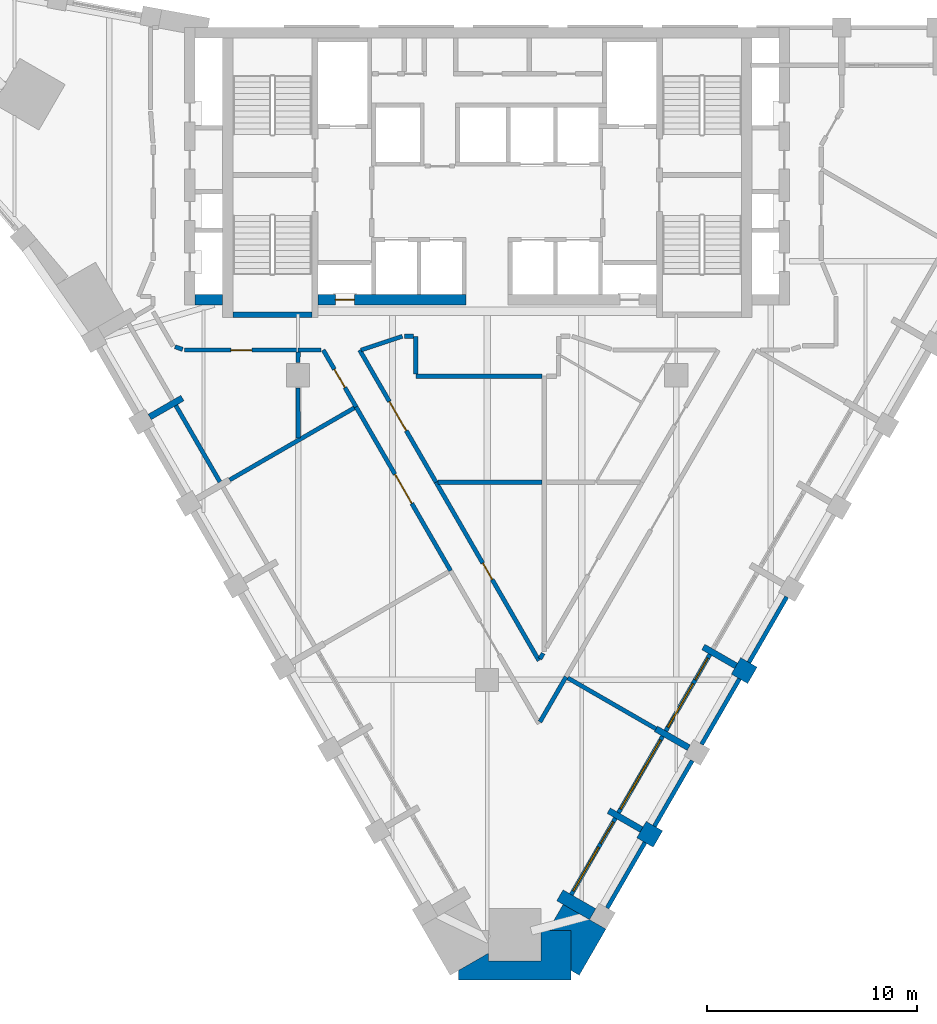
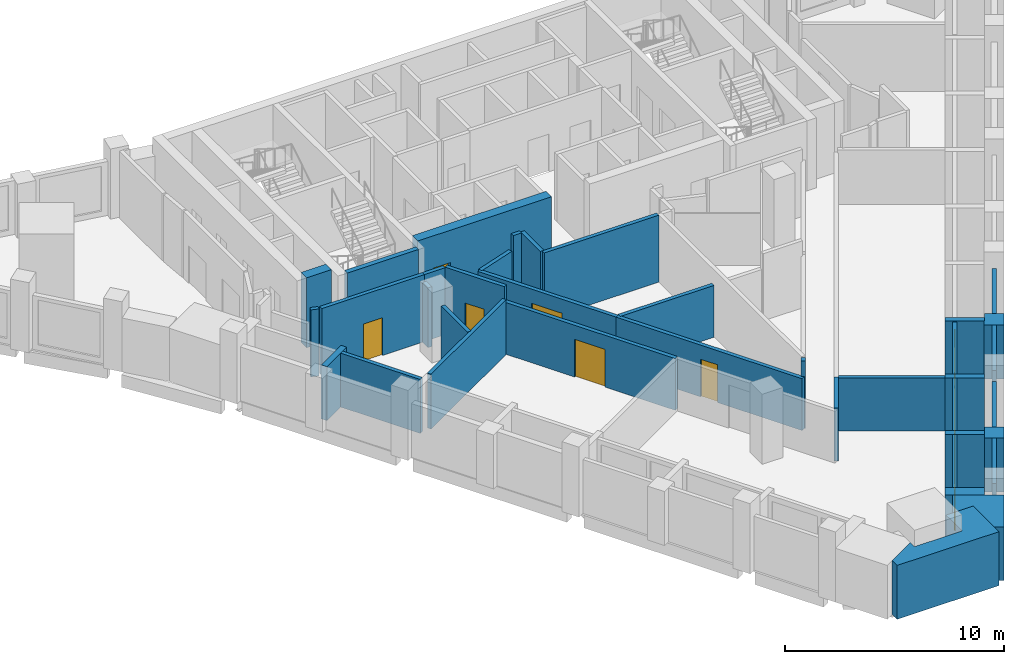
# One storey, part 3 of 9: 38 walls, 8 doors, 3 windows, 11 openings.
"""IFC4 building model written with IfcOpenShell, lengths in metres."""

import ifcopenshell
import ifcopenshell.guid

model = None  # the IFC model being written
_history = None  # IfcOwnerHistory: only IFC2X3 demands one
_inside = {}  # id of a spatial element -> (the spatial element, [elements in it])
_under = {}  # id of a project, library or spatial element -> (it, [spatial elements below it])
_declared = {}  # id of a project -> (the project, [libraries it declares])
_typed = {}  # id of a type object -> (the type object, [elements of that type])
_made_of = {}  # id of a material, layer set ... -> (it, [elements and type objects made of it])


def new_model(schema):
    """Start an empty IFC model of exactly this schema.

    Asked for "IFC4X3", IfcOpenShell would pick the latest addendum, in which some entities
    have other attributes; the version numbers below select the first issue.
    IFC2X3 requires an IfcOwnerHistory on every rooted entity: one is made here for all.
    """
    global model, _history
    if schema == "IFC4X3":
        model = ifcopenshell.file(schema_version=(4, 3, 0, 0))
    else:
        model = ifcopenshell.file(schema=schema)
    _inside.clear()
    _under.clear()
    _declared.clear()
    _typed.clear()
    _made_of.clear()
    _history = None
    if model.schema == "IFC2X3":
        org = make("IfcOrganization", Name="unknown")
        user = make(
            "IfcPersonAndOrganization",
            ThePerson=make("IfcPerson", FamilyName="unknown"),
            TheOrganization=org,
        )
        app = make(
            "IfcApplication",
            ApplicationDeveloper=org,
            Version="unknown",
            ApplicationFullName="unknown",
            ApplicationIdentifier="unknown",
        )
        _history = make(
            "IfcOwnerHistory",
            OwningUser=user,
            OwningApplication=app,
            ChangeAction="ADDED",
            CreationDate=0,
        )
    return model


def make(cls, **values):
    """One entity of the class cls with the attributes given. An attribute that is None is left unset."""
    return model.create_entity(
        cls, **{name: value for name, value in values.items() if value is not None}
    )


def rooted(cls, **values):
    """An entity with a GlobalId (a new one), such as an element, a storey or a relation."""
    return make(cls, GlobalId=ifcopenshell.guid.new(), OwnerHistory=_history, **values)


def si_unit(unit_type, name, prefix=None):
    """IfcSIUnit, for example si_unit("LENGTHUNIT", "METRE", prefix="MILLI")."""
    return make("IfcSIUnit", UnitType=unit_type, Prefix=prefix, Name=name)


def assignment(units):
    """IfcUnitAssignment: the units of a project."""
    return None if units is None else make("IfcUnitAssignment", Units=units)


def point(xyz):
    """IfcCartesianPoint."""
    return None if xyz is None else make("IfcCartesianPoint", Coordinates=xyz)


def direction(xyz):
    """IfcDirection."""
    return None if xyz is None else make("IfcDirection", DirectionRatios=xyz)


def frame(location, z_axis=None, x_axis=None):
    """IfcAxis2Placement3D, a coordinate frame: its origin and axes. An axis left out is left unset."""
    return make(
        "IfcAxis2Placement3D",
        Location=point(location),
        Axis=direction(z_axis),
        RefDirection=direction(x_axis),
    )


def frame_2d(location, x_axis=None):
    """IfcAxis2Placement2D, a coordinate frame in the plane: its origin and x axis."""
    return make(
        "IfcAxis2Placement2D", Location=point(location), RefDirection=direction(x_axis)
    )


def origin():
    """The frame at (0, 0, 0) with its axes left unset."""
    return frame((0.0, 0.0, 0.0))


def place(relative_to, where):
    """IfcLocalPlacement: puts the frame where relative to a parent placement (None: the world)."""
    return make(
        "IfcLocalPlacement", PlacementRelTo=relative_to, RelativePlacement=where
    )


def context(
    kind, dimensions, precision=None, world=None, true_north=None, identifier=None
):
    """IfcGeometricRepresentationContext, for example the 3D "Model" context."""
    return make(
        "IfcGeometricRepresentationContext",
        ContextIdentifier=identifier,
        ContextType=kind,
        CoordinateSpaceDimension=dimensions,
        Precision=precision,
        WorldCoordinateSystem=world,
        TrueNorth=true_north,
    )


def subcontext(parent, identifier, kind, view, scale=None):
    """IfcGeometricRepresentationSubContext, for example "Body" below "Model"."""
    return make(
        "IfcGeometricRepresentationSubContext",
        ContextIdentifier=identifier,
        ContextType=kind,
        ParentContext=parent,
        TargetScale=scale,
        TargetView=view,
    )


def project(units=None, contexts=None):
    """IfcProject with its units and contexts."""
    return rooted(
        "IfcProject",
        Name="project",
        RepresentationContexts=contexts,
        UnitsInContext=assignment(units),
    )


def spatial(cls, under=None, at=None, **own):
    """A site, building, storey or space (cls), placed at a placement, below another one or the project."""
    s = rooted(cls, ObjectPlacement=at, **own)
    if under is not None:
        _under.setdefault(under.id(), (under, []))[1].append(s)
    return s


def polyline(points):
    """IfcPolyline through the points."""
    return make("IfcPolyline", Points=[point(p) for p in points])


def profile(cls, at=None, kind="AREA", **sizes):
    """A parametric profile (cls). Its sizes go by their IFC names, for example OverallWidth=200.0."""
    return make(cls, ProfileType=kind, Position=at, **sizes)


def rectangle(**sizes):
    """IfcRectangleProfileDef."""
    return profile("IfcRectangleProfileDef", **sizes)


def outline(outer, holes=None, kind="AREA"):
    """IfcArbitraryClosedProfileDef: a profile drawn as a closed curve; with holes, ...WithVoids."""
    if holes is None:
        return make("IfcArbitraryClosedProfileDef", ProfileType=kind, OuterCurve=outer)
    return make(
        "IfcArbitraryProfileDefWithVoids",
        ProfileType=kind,
        OuterCurve=outer,
        InnerCurves=holes,
    )


def extrude(swept, where, along, depth):
    """IfcExtrudedAreaSolid: the profile swept, set in the frame where, extruded along a direction by depth."""
    return make(
        "IfcExtrudedAreaSolid",
        SweptArea=swept,
        Position=where,
        ExtrudedDirection=direction(along),
        Depth=depth,
    )


def shape(context_of_items, identifier, shape_type, items):
    """IfcShapeRepresentation: the items that make up one representation, for example the "Body"."""
    return make(
        "IfcShapeRepresentation",
        ContextOfItems=context_of_items,
        RepresentationIdentifier=identifier,
        RepresentationType=shape_type,
        Items=items,
    )


def material(Name=None, Category=None):
    """IfcMaterial."""
    return make("IfcMaterial", Name=Name, Category=Category)


def layer(
    of_material, thickness, ventilated=None, Name=None, Category=None, Priority=None
):
    """IfcMaterialLayer: one layer of a wall or slab, of a material (None: an air gap)."""
    return make(
        "IfcMaterialLayer",
        Material=of_material,
        LayerThickness=thickness,
        IsVentilated=ventilated,
        Name=Name,
        Category=Category,
        Priority=Priority,
    )


def layer_set(layers, Name=None):
    """IfcMaterialLayerSet."""
    return make("IfcMaterialLayerSet", MaterialLayers=layers, LayerSetName=Name)


def made_of(thing, what):
    """Note that an element or type object is made of a material, layer set ...; save() writes the relation."""
    if what is not None:
        _made_of.setdefault(what.id(), (what, []))[1].append(thing)
    return thing


def type_object(cls, material=None, **own):
    """A type object (cls), such as IfcWallType, which elements share."""
    return made_of(rooted(cls, **own), material)


def element(
    cls,
    number,
    at=None,
    inside=None,
    cuts=None,
    type_object=None,
    material=None,
    context=None,
    identifier="Body",
    shape_type=None,
    held_by="IfcProductDefinitionShape",
    body=None,
    shapes=None,
    **own,
):
    """One element of the class cls, such as IfcWall. Its Tag is "e" and its number.

    at: its placement. inside: the storey or other place that contains it. cuts: it is an
    opening in that element (IfcRelVoidsElement). A single representation is given by context,
    identifier, shape_type and body (its items); several are given by shapes. held_by: the class
    of the entity that holds the representations. save() writes the other relations.
    """
    e = rooted(cls, Tag="e%d" % number, ObjectPlacement=at, **own)
    if body is not None:
        shapes = [shape(context, identifier, shape_type, body)]
    if shapes is not None:
        e.Representation = make(held_by, Representations=shapes)
    if inside is not None:
        _inside.setdefault(inside.id(), (inside, []))[1].append(e)
    if cuts is not None:
        rooted(
            "IfcRelVoidsElement", RelatingBuildingElement=cuts, RelatedOpeningElement=e
        )
    if type_object is not None:
        _typed.setdefault(type_object.id(), (type_object, []))[1].append(e)
    return made_of(e, material)


def fill(opening, filler):
    """IfcRelFillsElement: the door or window that sits in an opening."""
    return rooted(
        "IfcRelFillsElement",
        RelatingOpeningElement=opening,
        RelatedBuildingElement=filler,
    )


def aggregate(whole, parts):
    """IfcRelAggregates: a whole, such as a stair, and the parts it consists of."""
    return rooted("IfcRelAggregates", RelatingObject=whole, RelatedObjects=parts)


def save(model, path):
    """Write the relations noted so far, then the file.

    IfcRelAggregates (storeys below a building ...), IfcRelContainedInSpatialStructure (elements
    in a storey), IfcRelDefinesByType, IfcRelAssociatesMaterial and IfcRelDeclares: one each for
    every whole, place, type object, material and project.
    """
    for whole, parts in _under.values():
        aggregate(whole, parts)
    for where, things in _inside.values():
        rooted(
            "IfcRelContainedInSpatialStructure",
            RelatedElements=things,
            RelatingStructure=where,
        )
    for kind, things in _typed.values():
        rooted("IfcRelDefinesByType", RelatedObjects=things, RelatingType=kind)
    for what, things in _made_of.values():
        rooted("IfcRelAssociatesMaterial", RelatedObjects=things, RelatingMaterial=what)
    for by, libraries in _declared.values():
        rooted("IfcRelDeclares", RelatingContext=by, RelatedDefinitions=libraries)
    model.write(path)


model = new_model("IFC4")

# Units and contexts
model_context = context("Model", 3, precision=1e-05, world=origin(), true_north=direction((0.0, 1.0)))
body_context = subcontext(model_context, "Body", "Model", "MODEL_VIEW")
ifc_project = project(units=[si_unit("LENGTHUNIT", "METRE"), si_unit("AREAUNIT", "SQUARE_METRE"), si_unit("VOLUMEUNIT", "CUBIC_METRE"), si_unit("PLANEANGLEUNIT", "RADIAN"), si_unit("MASSUNIT", "GRAM", prefix="KILO")], contexts=[model_context])

# Site, building, storey
site_placement = place(None, origin())
site = spatial("IfcSite", under=ifc_project, at=site_placement, CompositionType="ELEMENT")
building_placement = place(site_placement, origin())
building = spatial("IfcBuilding", under=site, at=building_placement, Name="Calabash Gate Tower", CompositionType="ELEMENT")
storey_placement = place(building_placement, frame((0.0, 0.0, 200.300048828125)))
storey = spatial("IfcBuildingStorey", under=building, at=storey_placement, Name="L47", CompositionType="ELEMENT", Elevation=200.300048828125)

# Walls
ifc_material_1 = material(Name="Terracotta brick masonry, exposed face", Category="masonry")
ifc_layer_1 = layer(ifc_material_1, 2.35009765625)
ifc_layer_set_1 = layer_set([ifc_layer_1], Name="Brick corner mass wall 2350")
wall_type_1 = type_object("IfcWallType", Name="Brick corner mass wall 2350", PredefinedType="SOLIDWALL", material=ifc_layer_set_1)
wall_1_placement = place(storey_placement, origin())
element("IfcWall", 1, at=wall_1_placement, inside=storey, type_object=wall_type_1, Name="Brick corner pier S13 2ba", PredefinedType="SOLIDWALL", context=body_context, shape_type="SweptSolid", body=[
    extrude(outline(polyline([(2.56005859375, -23.93994140625), (2.56005859375, -25.39208984375), (0.06005859375, -25.39208984375), (0.06005859375, -25.012939453125), (-1.372314453125, -25.83984375), (-1.372314453125, -26.2900390625), (3.99267578125, -26.2900390625), (3.99267578125, -23.93994140625), (2.56005859375, -23.93994140625)])), origin(), (0.0, 0.0, 1.0), 3.0),
])
wall_2_placement = place(storey_placement, origin())
element("IfcWall", 2, at=wall_2_placement, inside=storey, type_object=wall_type_1, Name="Brick corner pier S13 2c", PredefinedType="SOLIDWALL", context=body_context, shape_type="SweptSolid", body=[
    extrude(outline(polyline([(4.871337890625, -23.418701171875), (3.615478515625, -22.693603515625), (2.895751953125, -23.93994140625), (3.99267578125, -23.93994140625), (3.99267578125, -25.83984375), (4.382568359375, -26.06494140625), (5.650634765625, -23.86865234375), (4.871337890625, -23.418701171875), (4.871337890625, -23.418701171875)])), origin(), (0.0, 0.0, 1.0), 3.0),
])
ifc_material_2 = material(Name="Terracotta brick masonry, exposed face", Category="masonry")
ifc_layer_2 = layer(ifc_material_2, 0.89990234375)
ifc_layer_set_2 = layer_set([ifc_layer_2], Name="Brick end wall 900")
wall_type_2 = type_object("IfcWallType", Name="Brick end wall 900", PredefinedType="SOLIDWALL", material=ifc_layer_set_2)
for number, where, z_axis, x_axis, name in (
    (3, (7.9609375, -18.967041015625, 0.0), (0.0, 0.0, 1.0), (-0.50001992892, -0.866013897511, 0.0), "Brick pier S13 SE2.1"),
    (4, (11.84619140625, -11.33740234375, 0.0), (0.0, 0.0, 1.0), (0.865896406789, -0.500223362819, 0.0), "Brick pier S13 SE2.3"),
):
    element("IfcWall", number, at=place(storey_placement, frame(where, z_axis=z_axis, x_axis=x_axis)), inside=storey, type_object=wall_type_2, Name=name, PredefinedType="SOLIDWALL", context=body_context, shape_type="SweptSolid", body=[
        extrude(rectangle(XDim=0.89990234375, YDim=0.89990234375, at=frame_2d((0.449951171875, 0.0))), origin(), (0.0, 0.0, 1.0), 3.0),
    ])
ifc_material_3 = material(Name="Terracotta brick masonry, exposed face", Category="masonry")
ifc_layer_3 = layer(ifc_material_3, 0.300048828125)
ifc_layer_set_3 = layer_set([ifc_layer_3], Name="Brick loggia cheek wall 300")
wall_type_3 = type_object("IfcWallType", Name="Brick loggia cheek wall 300", PredefinedType="SOLIDWALL", material=ifc_layer_set_3)
wall_3_placement = place(storey_placement, frame((-16.06689453125, 0.511962890625, 0.0), z_axis=(0.0, 0.0, 1.0), x_axis=(0.866047807691, 0.499961193289, 0.0)))
element("IfcWall", 5, at=wall_3_placement, inside=storey, type_object=wall_type_3, Name="Loggia cheek S13 SW0.1", PredefinedType="SOLIDWALL", context=body_context, shape_type="SweptSolid", body=[
    extrude(rectangle(XDim=1.800048828125, YDim=0.300048828125, at=frame_2d((0.89990234375, 0.0))), origin(), (0.0, 0.0, 1.0), 3.0),
])
wall_4_placement = place(storey_placement, frame((3.46240234375, -22.2587890625, 0.0), z_axis=(0.0, 0.0, 1.0), x_axis=(0.866047807691, -0.499961193289, 0.0)))
element("IfcWall", 6, at=wall_4_placement, inside=storey, type_object=wall_type_3, Name="Loggia cheek S13 SE2.0", PredefinedType="SOLIDWALL", context=body_context, shape_type="SweptSolid", body=[
    extrude(rectangle(XDim=1.800048828125, YDim=0.60009765625, at=frame_2d((0.89990234375, 0.0))), origin(), (0.0, 0.0, 1.0), 3.0),
])
for number, where, z_axis, x_axis, name in (
    (7, (7.34619140625, -19.131591796875, 0.0), (0.0, 0.0, 1.0), (-0.866047807691, 0.499961193289, 0.0), "Loggia cheek S13 SE2.1"),
    (8, (9.59619140625, -15.234619140625, 0.0), (0.0, 0.0, 1.0), (-0.866047807691, 0.499961193289, 0.0), "Loggia cheek S13 SE2.2"),
    (9, (11.84619140625, -11.33740234375, 0.0), (0.0, 0.0, 1.0), (-0.866047807691, 0.499961193289, 0.0), "Loggia cheek S13 SE2.3"),
):
    element("IfcWall", number, at=place(storey_placement, frame(where, z_axis=z_axis, x_axis=x_axis)), inside=storey, type_object=wall_type_3, Name=name, PredefinedType="SOLIDWALL", context=body_context, shape_type="SweptSolid", body=[
        extrude(rectangle(XDim=1.800048828125, YDim=0.300048828125, at=frame_2d((0.89990234375, 0.0))), origin(), (0.0, 0.0, 1.0), 3.0),
    ])
ifc_material_4 = material(Name="Concrete C70/85", Category="concrete")
ifc_layer_4 = layer(ifc_material_4, 0.25)
ifc_layer_set_4 = layer_set([ifc_layer_4], Name="Core wall 250 Concrete C70/85")
wall_type_4 = type_object("IfcWallType", Name="Core wall 250 Concrete C70/85", PredefinedType="SHEAR", material=ifc_layer_set_4)
wall_5_placement = place(storey_placement, frame((-12.10009765625, 5.377685546875, 0.0), z_axis=(0.0, 0.0, 1.0), x_axis=(1.0, 0.0, 0.0)))
element("IfcWall", 10, at=wall_5_placement, inside=storey, type_object=wall_type_4, Name="Core wall Z4-SSW L47", PredefinedType="SHEAR", context=body_context, shape_type="SweptSolid", body=[
    extrude(rectangle(XDim=3.75, YDim=0.25, at=frame_2d((1.875, 0.0))), origin(), (0.0, 0.0, 1.0), 3.89990234375),
])

# Wall, opening, door
ifc_material_5 = material(Name="Concrete C70/85", Category="concrete")
ifc_layer_5 = layer(ifc_material_5, 0.5)
ifc_layer_set_5 = layer_set([ifc_layer_5], Name="Core wall 500 Concrete C70/85")
wall_type_5 = type_object("IfcWallType", Name="Core wall 500 Concrete C70/85", PredefinedType="SHEAR", material=ifc_layer_set_5)
wall_6_placement = place(storey_placement, frame((-8.050048828125, 6.1025390625, 0.0), z_axis=(0.0, 0.0, 1.0), x_axis=(1.0, 0.0, 0.0)))
wall_6 = element("IfcWall", 11, at=wall_6_placement, inside=storey, type_object=wall_type_5, Name="Core wall Z4-SA L47", PredefinedType="SHEAR", context=body_context, shape_type="SweptSolid", body=[
    extrude(rectangle(XDim=7.050048828125, YDim=0.5, at=frame_2d((3.52490234375, 0.0))), origin(), (0.0, 0.0, 1.0), 3.89990234375),
])
opening_1_placement = place(wall_6_placement, frame((0.824951171875, 0.0, 0.0)))
opening_1 = element("IfcOpeningElement", 12, at=opening_1_placement, cuts=wall_6, Name="Opening O5-017", PredefinedType="OPENING", context=body_context, shape_type="SweptSolid", body=[
    extrude(rectangle(XDim=0.89990234375, YDim=2.10009765625, at=frame_2d((0.449951171875, 1.050048828125))), frame((0.0, 0.260009765625, 0.0), z_axis=(0.0, -1.0, 0.0), x_axis=(1.0, 0.0, 0.0)), (0.0, 0.0, 1.0), 0.52001953125),
])
ifc_material_6 = material(Name="Steel fire door set with fire-resisting glazing", Category="steel")
door_type_1 = type_object("IfcDoorType", Name="Fire door D07 900x2100 FD90", OperationType="NOTDEFINED", PredefinedType="DOOR", material=ifc_material_6)
door_1_placement = place(opening_1_placement, origin())
door_1 = element("IfcDoor", 13, at=door_1_placement, inside=storey, type_object=door_type_1, Name="Electrical Riser W door", OperationType="SINGLE_SWING_LEFT", OverallHeight=2.10009765625, OverallWidth=0.89990234375, PredefinedType="DOOR", context=body_context, shape_type="SweptSolid", body=[
    extrude(rectangle(XDim=0.89990234375, YDim=2.10009765625, at=frame_2d((0.449951171875, 1.050048828125))), frame((0.0, 0.02490234375, 0.0), z_axis=(0.0, -1.0, 0.0), x_axis=(1.0, 0.0, 0.0)), (0.0, 0.0, 1.0), 0.050048828125),
])
fill(opening_1, door_1)

# Walls
wall_7_placement = place(storey_placement, frame((-12.60009765625, 6.1025390625, 0.0), z_axis=(0.0, 0.0, 1.0), x_axis=(-1.0, 0.0, 0.0)))
element("IfcWall", 14, at=wall_7_placement, inside=storey, type_object=wall_type_5, Name="Core wall Z4-SW L47", PredefinedType="SHEAR", context=body_context, shape_type="SweptSolid", body=[
    extrude(rectangle(XDim=1.2998046875, YDim=0.5, at=frame_2d((0.64990234375, 0.0))), origin(), (0.0, 0.0, 1.0), 3.89990234375),
])
ifc_material_7 = material(Name="Gypsum board on steel studs, mineral wool", Category="steel")
ifc_layer_6 = layer(ifc_material_7, 0.199951171875)
ifc_layer_set_6 = layer_set([ifc_layer_6], Name="Partition 200 gypsum board EI 60")
wall_type_6 = type_object("IfcWallType", Name="Partition 200 gypsum board EI 60", PredefinedType="PARTITIONING", material=ifc_layer_set_6)
wall_8_placement = place(storey_placement, frame((3.83642578125, -11.91162109375, 0.0), z_axis=(0.0, 0.0, 1.0), x_axis=(0.866197319414, -0.499702115105, 0.0)))
element("IfcWall", 15, at=wall_8_placement, inside=storey, type_object=wall_type_6, Name="Partition", PredefinedType="PARTITIONING", context=body_context, shape_type="SweptSolid", body=[
    extrude(rectangle(XDim=4.849609375, YDim=0.199951171875, at=frame_2d((2.4248046875, 0.0))), origin(), (0.0, 0.0, 1.0), 2.949951171875),
])
wall_9_placement = place(storey_placement, frame((2.514892578125, -14.0, 0.0), z_axis=(0.0, 0.0, 1.0), x_axis=(0.500654523814, 0.865647184357, 0.0)))
element("IfcWall", 16, at=wall_9_placement, inside=storey, type_object=wall_type_6, Name="Partition", PredefinedType="PARTITIONING", context=body_context, shape_type="SweptSolid", body=[
    extrude(rectangle(XDim=2.470947265625, YDim=0.199951171875, at=frame_2d((1.2353515625, 0.0))), origin(), (0.0, 0.0, 1.0), 2.949951171875),
])
wall_10_placement = place(storey_placement, frame((2.514892578125, -10.999267578125, 0.0), z_axis=(0.0, 0.0, 1.0), x_axis=(0.500426713919, 0.865778900179, 0.0)))
element("IfcWall", 17, at=wall_10_placement, inside=storey, type_object=wall_type_6, Name="Partition", PredefinedType="PARTITIONING", context=body_context, shape_type="SweptSolid", body=[
    extrude(rectangle(XDim=0.300048828125, YDim=0.199951171875, at=frame_2d((0.14990234375, 0.0))), origin(), (0.0, 0.0, 1.0), 3.72998046875),
])

# Wall, opening, door
wall_11_placement = place(storey_placement, frame((-6.240966796875, 0.98876953125, 0.0), z_axis=(0.0, 0.0, 1.0), x_axis=(0.5000018851, -0.866024315419, 0.0)))
wall_11 = element("IfcWall", 18, at=wall_11_placement, inside=storey, type_object=wall_type_6, Name="Partition", PredefinedType="PARTITIONING", context=body_context, shape_type="SweptSolid", body=[
    extrude(rectangle(XDim=9.0, YDim=0.199951171875, at=frame_2d((4.5, 0.0))), origin(), (0.0, 0.0, 1.0), 2.884033203125),
])
opening_2_placement = place(wall_11_placement, frame((3.699951171875, 0.0, 0.0)))
opening_2 = element("IfcOpeningElement", 19, at=opening_2_placement, cuts=wall_11, Name="Opening 46-48-001", PredefinedType="OPENING", context=body_context, shape_type="SweptSolid", body=[
    extrude(rectangle(XDim=1.60009765625, YDim=2.10009765625, at=frame_2d((0.800048828125, 1.050048828125))), frame((0.0, 0.10986328125, 0.0), z_axis=(0.0, -1.0, 0.0), x_axis=(1.0, 0.0, 0.0)), (0.0, 0.0, 1.0), 0.219970703125),
])
ifc_material_8 = material(Name="Steel fire door set with fire-resisting glazing", Category="steel")
door_type_2 = type_object("IfcDoorType", Name="LD1 Lounge double door 1600x2100", OperationType="NOTDEFINED", PredefinedType="DOOR", material=ifc_material_8)
door_2_placement = place(opening_2_placement, origin())
door_2 = element("IfcDoor", 20, at=door_2_placement, inside=storey, type_object=door_type_2, Name="Lounge double door", OperationType="DOUBLE_DOOR_SINGLE_SWING", OverallHeight=2.10009765625, OverallWidth=1.60009765625, PredefinedType="DOOR", context=body_context, shape_type="SweptSolid", body=[
    extrude(rectangle(XDim=1.60009765625, YDim=2.10009765625, at=frame_2d((0.800048828125, 1.050048828125))), frame((0.0, 0.02490234375, 0.0), z_axis=(0.0, -1.0, 0.0), x_axis=(1.0, 0.0, 0.0)), (0.0, 0.0, 1.0), 0.050048828125),
])
fill(opening_2, door_2)

wall_12_placement = place(storey_placement, frame((-2.43408203125, -2.596923828125, 0.0), z_axis=(0.0, 0.0, 1.0), x_axis=(0.499860458914, -0.86610595288, 0.0)))
wall_12 = element("IfcWall", 21, at=wall_12_placement, inside=storey, type_object=wall_type_6, Name="Partition", PredefinedType="PARTITIONING", context=body_context, shape_type="SweptSolid", body=[
    extrude(rectangle(XDim=9.801025390625, YDim=0.199951171875, at=frame_2d((4.900390625, 0.0))), origin(), (0.0, 0.0, 1.0), 2.884033203125),
])
opening_3_placement = place(wall_12_placement, frame((4.448974609375, 0.0, 0.0)))
opening_3 = element("IfcOpeningElement", 22, at=opening_3_placement, cuts=wall_12, Name="Opening 46-48-004", PredefinedType="OPENING", context=body_context, shape_type="SweptSolid", body=[
    extrude(rectangle(XDim=0.89990234375, YDim=2.10009765625, at=frame_2d((0.449951171875, 1.050048828125))), frame((0.0, 0.10986328125, 0.0), z_axis=(0.0, -1.0, 0.0), x_axis=(1.0, 0.0, 0.0)), (0.0, 0.0, 1.0), 0.219970703125),
])
ifc_material_9 = material(Name="Steel fire door set with fire-resisting glazing", Category="steel")
door_type_3 = type_object("IfcDoorType", Name="SD3 Store door 900x2100", OperationType="NOTDEFINED", PredefinedType="DOOR", material=ifc_material_9)
door_3_placement = place(opening_3_placement, origin())
door_3 = element("IfcDoor", 23, at=door_3_placement, inside=storey, type_object=door_type_3, Name="Store door", OperationType="SINGLE_SWING_LEFT", OverallHeight=2.10009765625, OverallWidth=0.89990234375, PredefinedType="DOOR", context=body_context, shape_type="SweptSolid", body=[
    extrude(rectangle(XDim=0.89990234375, YDim=2.10009765625, at=frame_2d((0.449951171875, 1.050048828125))), frame((0.0, 0.02490234375, 0.0), z_axis=(0.0, -1.0, 0.0), x_axis=(1.0, 0.0, 0.0)), (0.0, 0.0, 1.0), 0.050048828125),
])
fill(opening_3, door_3)

# Walls
wall_13_placement = place(storey_placement, frame((-2.333984375, -2.596923828125, 0.0), z_axis=(0.0, 0.0, 1.0), x_axis=(1.0, 0.0, 0.0)))
element("IfcWall", 24, at=wall_13_placement, inside=storey, type_object=wall_type_6, Name="Partition", PredefinedType="PARTITIONING", context=body_context, shape_type="SweptSolid", body=[
    extrude(rectangle(XDim=4.948974609375, YDim=0.199951171875, at=frame_2d((2.474609375, 0.0))), origin(), (0.0, 0.0, 1.0), 2.884033203125),
])
wall_14_placement = place(storey_placement, frame((-12.25830078125, -2.48486328125, 0.0), z_axis=(0.0, 0.0, 1.0), x_axis=(0.865815661702, 0.500363108105, 0.0)))
element("IfcWall", 25, at=wall_14_placement, inside=storey, type_object=wall_type_6, Name="Partition", PredefinedType="PARTITIONING", context=body_context, shape_type="SweptSolid", body=[
    extrude(rectangle(XDim=6.849609375, YDim=0.199951171875, at=frame_2d((3.4248046875, 0.0))), origin(), (0.0, 0.0, 1.0), 3.0517578125),
])

# Wall, opening, door
wall_15_placement = place(storey_placement, frame((-7.80419921875, 3.699462890625, 0.0), z_axis=(0.0, 0.0, 1.0), x_axis=(0.50003316619, -0.866006254429, 0.0)))
wall_15 = element("IfcWall", 26, at=wall_15_placement, inside=storey, type_object=wall_type_6, Name="Partition", PredefinedType="PARTITIONING", context=body_context, shape_type="SweptSolid", body=[
    extrude(rectangle(XDim=3.128662109375, YDim=0.199951171875, at=frame_2d((1.564453125, 0.0))), origin(), (0.0, 0.0, 1.0), 3.72998046875),
])
opening_4_placement = place(wall_15_placement, frame((1.0654296875, 0.0, 0.0)))
opening_4 = element("IfcOpeningElement", 27, at=opening_4_placement, cuts=wall_15, Name="Opening 46-48-009", PredefinedType="OPENING", context=body_context, shape_type="SweptSolid", body=[
    extrude(rectangle(XDim=1.0, YDim=2.10009765625, at=frame_2d((0.5, 1.050048828125))), frame((0.0, 0.10986328125, 0.0), z_axis=(0.0, -1.0, 0.0), x_axis=(1.0, 0.0, 0.0)), (0.0, 0.0, 1.0), 0.219970703125),
])
ifc_material_10 = material(Name="Steel fire door set with fire-resisting glazing", Category="steel")
door_type_4 = type_object("IfcDoorType", Name="LD2 Meeting room door 1000x2100", OperationType="NOTDEFINED", PredefinedType="DOOR", material=ifc_material_10)
door_4_placement = place(opening_4_placement, origin())
door_4 = element("IfcDoor", 28, at=door_4_placement, inside=storey, type_object=door_type_4, Name="Meeting room door", OperationType="SINGLE_SWING_RIGHT", OverallHeight=2.10009765625, OverallWidth=1.0, PredefinedType="DOOR", context=body_context, shape_type="SweptSolid", body=[
    extrude(rectangle(XDim=1.0, YDim=2.10009765625, at=frame_2d((0.5, 1.050048828125))), frame((0.0, 0.02490234375, 0.0), z_axis=(0.0, -1.0, 0.0), x_axis=(1.0, 0.0, 0.0)), (0.0, 0.0, 1.0), 0.050048828125),
])
fill(opening_4, door_4)

# Walls
wall_16_placement = place(storey_placement, frame((-8.999755859375, 1.89990234375, 0.0), z_axis=(0.0, 0.0, 1.0), x_axis=(0.000711888358, -0.999999746607, 0.0)))
element("IfcWall", 29, at=wall_16_placement, inside=storey, type_object=wall_type_6, Name="Partition", PredefinedType="PARTITIONING", context=body_context, shape_type="SweptSolid", body=[
    extrude(rectangle(XDim=2.400634765625, YDim=0.199951171875, at=frame_2d((1.2001953125, 0.0))), origin(), (0.0, 0.0, 1.0), 3.0517578125),
])
wall_17_placement = place(storey_placement, frame((-3.400146484375, 2.452392578125, 0.0), z_axis=(0.0, 0.0, 1.0), x_axis=(0.99999995964, -0.000284113959, 0.0)))
element("IfcWall", 30, at=wall_17_placement, inside=storey, type_object=wall_type_6, Name="Partition", PredefinedType="PARTITIONING", context=body_context, shape_type="SweptSolid", body=[
    extrude(rectangle(XDim=6.01513671875, YDim=0.199951171875, at=frame_2d((3.007568359375, 0.0))), origin(), (0.0, 0.0, 1.0), 3.72998046875),
])
wall_18_placement = place(storey_placement, frame((-3.402099609375, 4.3505859375, 0.0), z_axis=(0.0, 0.0, 1.0), x_axis=(0.001086217961, -0.999999410065, 0.0)))
element("IfcWall", 31, at=wall_18_placement, inside=storey, type_object=wall_type_6, Name="Partition", PredefinedType="PARTITIONING", context=body_context, shape_type="SweptSolid", body=[
    extrude(rectangle(XDim=1.798095703125, YDim=0.199951171875, at=frame_2d((0.89892578125, 0.0))), origin(), (0.0, 0.0, 1.0), 3.72998046875),
])
wall_19_placement = place(storey_placement, frame((-8.999755859375, 3.10009765625, 0.0), z_axis=(0.0, 0.0, 1.0), x_axis=(0.00293253871, 0.999995700099, 0.0)))
element("IfcWall", 32, at=wall_19_placement, inside=storey, type_object=wall_type_6, Name="Partition", PredefinedType="PARTITIONING", context=body_context, shape_type="SweptSolid", body=[
    extrude(rectangle(XDim=0.49951171875, YDim=0.199951171875, at=frame_2d((0.249755859375, 0.0))), origin(), (0.0, 0.0, 1.0), 3.33154296875),
])

# Wall, opening, door
wall_20_placement = place(storey_placement, frame((-14.400146484375, 3.699462890625, 0.0), z_axis=(0.0, 0.0, 1.0), x_axis=(0.999999963209, -0.000271259993, 0.0)))
wall_20 = element("IfcWall", 33, at=wall_20_placement, inside=storey, type_object=wall_type_6, Name="Partition", PredefinedType="PARTITIONING", context=body_context, shape_type="SweptSolid", body=[
    extrude(rectangle(XDim=5.400146484375, YDim=0.199951171875, at=frame_2d((2.7001953125, 0.0))), origin(), (0.0, 0.0, 1.0), 3.72998046875),
])
opening_5_placement = place(wall_20_placement, frame((2.201171875, 0.0, 0.0)))
opening_5 = element("IfcOpeningElement", 34, at=opening_5_placement, cuts=wall_20, Name="Opening 46-48-008", PredefinedType="OPENING", context=body_context, shape_type="SweptSolid", body=[
    extrude(rectangle(XDim=1.0, YDim=2.10009765625, at=frame_2d((0.5, 1.050048828125))), frame((0.0, 0.10986328125, 0.0), z_axis=(0.0, -1.0, 0.0), x_axis=(1.0, 0.0, 0.0)), (0.0, 0.0, 1.0), 0.219970703125),
])
door_5_placement = place(opening_5_placement, origin())
door_5 = element("IfcDoor", 35, at=door_5_placement, inside=storey, type_object=door_type_4, Name="Meeting room door", OperationType="SINGLE_SWING_LEFT", OverallHeight=2.10009765625, OverallWidth=1.0, PredefinedType="DOOR", context=body_context, shape_type="SweptSolid", body=[
    extrude(rectangle(XDim=1.0, YDim=2.10009765625, at=frame_2d((0.5, 1.050048828125))), frame((0.0, 0.02490234375, 0.0), z_axis=(0.0, -1.0, 0.0), x_axis=(1.0, 0.0, 0.0)), (0.0, 0.0, 1.0), 0.050048828125),
])
fill(opening_5, door_5)

# Wall
wall_21_placement = place(storey_placement, frame((-8.999755859375, 3.697998046875, 0.0), z_axis=(0.0, 0.0, 1.0), x_axis=(0.999999105954, 0.001337195149, 0.0)))
element("IfcWall", 36, at=wall_21_placement, inside=storey, type_object=wall_type_6, Name="Partition", PredefinedType="PARTITIONING", context=body_context, shape_type="SweptSolid", body=[
    extrude(rectangle(XDim=1.095458984375, YDim=0.199951171875, at=frame_2d((0.5478515625, 0.0))), origin(), (0.0, 0.0, 1.0), 3.72998046875),
])

# Wall, opening, door
wall_22_placement = place(storey_placement, frame((-6.071533203125, 3.69970703125, 0.0), z_axis=(0.0, 0.0, 1.0), x_axis=(0.50020597598, -0.865906450833, 0.0)))
wall_22 = element("IfcWall", 37, at=wall_22_placement, inside=storey, type_object=wall_type_6, Name="Partition", PredefinedType="PARTITIONING", context=body_context, shape_type="SweptSolid", body=[
    extrude(rectangle(XDim=7.26953125, YDim=0.199951171875, at=frame_2d((3.634765625, 0.0))), origin(), (0.0, 0.0, 1.0), 2.884033203125),
])
opening_6_placement = place(wall_22_placement, frame((2.836181640625, 0.0, 0.0)))
opening_6 = element("IfcOpeningElement", 38, at=opening_6_placement, cuts=wall_22, Name="Opening 46-48-003", PredefinedType="OPENING", context=body_context, shape_type="SweptSolid", body=[
    extrude(rectangle(XDim=1.60009765625, YDim=2.10009765625, at=frame_2d((0.800048828125, 1.050048828125))), frame((0.0, 0.10986328125, 0.0), z_axis=(0.0, -1.0, 0.0), x_axis=(1.0, 0.0, 0.0)), (0.0, 0.0, 1.0), 0.219970703125),
])
door_6_placement = place(opening_6_placement, origin())
door_6 = element("IfcDoor", 39, at=door_6_placement, inside=storey, type_object=door_type_2, Name="Lounge double door", OperationType="DOUBLE_DOOR_SINGLE_SWING", OverallHeight=2.10009765625, OverallWidth=1.60009765625, PredefinedType="DOOR", context=body_context, shape_type="SweptSolid", body=[
    extrude(rectangle(XDim=1.60009765625, YDim=2.10009765625, at=frame_2d((0.800048828125, 1.050048828125))), frame((0.0, 0.02490234375, 0.0), z_axis=(0.0, -1.0, 0.0), x_axis=(1.0, 0.0, 0.0)), (0.0, 0.0, 1.0), 0.050048828125),
])
fill(opening_6, door_6)

# Walls
wall_23_placement = place(storey_placement, frame((-14.859619140625, 3.852783203125, 0.0), z_axis=(0.0, 0.0, 1.0), x_axis=(0.948619741075, -0.316418373111, 0.0)))
element("IfcWall", 40, at=wall_23_placement, inside=storey, type_object=wall_type_6, Name="Partition", PredefinedType="PARTITIONING", context=body_context, shape_type="SweptSolid", body=[
    extrude(rectangle(XDim=0.38427734375, YDim=0.199951171875, at=frame_2d((0.192138671875, 0.0))), origin(), (0.0, 0.0, 1.0), 3.72998046875),
])
wall_24_placement = place(storey_placement, frame((-6.0, 3.69970703125, 0.0), z_axis=(0.0, 0.0, 1.0), x_axis=(0.948683298051, 0.316227766017, 0.0)))
element("IfcWall", 41, at=wall_24_placement, inside=storey, type_object=wall_type_6, Name="Partition", PredefinedType="PARTITIONING", context=body_context, shape_type="SweptSolid", body=[
    extrude(rectangle(XDim=2.063720703125, YDim=0.199951171875, at=frame_2d((1.03173828125, 0.0))), origin(), (0.0, 0.0, 1.0), 2.884033203125),
])
wall_25_placement = place(storey_placement, frame((-3.9423828125, 4.35205078125, 0.0), z_axis=(0.0, 0.0, 1.0), x_axis=(0.999996159087, -0.00277160798, 0.0)))
element("IfcWall", 42, at=wall_25_placement, inside=storey, type_object=wall_type_6, Name="Partition", PredefinedType="PARTITIONING", context=body_context, shape_type="SweptSolid", body=[
    extrude(rectangle(XDim=0.4404296875, YDim=0.199951171875, at=frame_2d((0.22021484375, 0.0))), origin(), (0.0, 0.0, 1.0), 3.72998046875),
])
ifc_material_11 = material(Name="Terracotta brick masonry, perforated", Category="masonry")
ifc_layer_7 = layer(ifc_material_11, 0.199951171875)
ifc_layer_set_7 = layer_set([ifc_layer_7], Name="Terracotta jaali screen A")
wall_type_7 = type_object("IfcWallType", Name="Terracotta jaali screen A", PredefinedType="SOLIDWALL", material=ifc_layer_set_7)
for number, where, z_axis, x_axis, name in (
    (43, (5.7109375, -22.864013671875, 0.0), (0.0, 0.0, 1.0), (0.500012057535, 0.866018442252, 0.0), "SCREEN A S13 SE2.1"),
    (44, (7.9609375, -18.967041015625, 0.0), (0.0, 0.0, 1.0), (0.500012057535, 0.866018442252, 0.0), "SCREEN A S13 SE2.2"),
    (45, (10.2109375, -15.06982421875, 0.0), (0.0, 0.0, 1.0), (0.500012057535, 0.866018442252, 0.0), "SCREEN A S13 SE2.3"),
    (46, (12.4609375, -11.1728515625, 0.0), (0.0, 0.0, 1.0), (0.500012057535, 0.866018442252, 0.0), "SCREEN A S13 SE2.4"),
):
    element("IfcWall", number, at=place(storey_placement, frame(where, z_axis=z_axis, x_axis=x_axis)), inside=storey, type_object=wall_type_7, Name=name, PredefinedType="SOLIDWALL", context=body_context, shape_type="SweptSolid", body=[
        extrude(rectangle(XDim=3.60009765625, YDim=0.199951171875, at=frame_2d((1.800048828125, 0.0))), origin(), (0.0, 0.0, 1.0), 3.0),
    ])
ifc_material_12 = material(Name="Aluminium framed window wall with insulated spandrel", Category="aluminium")
ifc_layer_8 = layer(ifc_material_12, 0.199951171875)
ifc_layer_set_8 = layer_set([ifc_layer_8], Name="Window wall 200")
wall_type_8 = type_object("IfcWallType", Name="Window wall 200", PredefinedType="ELEMENTEDWALL", material=ifc_layer_set_8)
wall_26_placement = place(storey_placement, frame((-14.82275390625, 1.05712890625, 0.0), z_axis=(0.0, 0.0, 1.0), x_axis=(0.500002543286, -0.866023935413, 0.0)))
element("IfcWall", 47, at=wall_26_placement, inside=storey, type_object=wall_type_8, Name="Window wall S13 SW0.2", PredefinedType="ELEMENTEDWALL", context=body_context, shape_type="SweptSolid", body=[
    extrude(rectangle(XDim=4.2001953125, YDim=0.199951171875, at=frame_2d((2.10009765625, 0.0))), origin(), (0.0, 0.0, 1.0), 3.0),
])

# Wall, openings, door, window
wall_27_placement = place(storey_placement, frame((4.001953125, -22.223876953125, 0.0), z_axis=(0.0, 0.0, 1.0), x_axis=(0.500027713859, 0.866009402589, 0.0)))
wall_27 = element("IfcWall", 48, at=wall_27_placement, inside=storey, type_object=wall_type_8, Name="Window wall S13 SE2.1", PredefinedType="ELEMENTEDWALL", context=body_context, shape_type="SweptSolid", body=[
    extrude(rectangle(XDim=4.199951171875, YDim=0.199951171875, at=frame_2d((2.10009765625, 0.0))), origin(), (0.0, 0.0, 1.0), 3.0),
])
opening_7_placement = place(wall_27_placement, frame((0.199951171875, 0.0, 0.449951171875)))
opening_7 = element("IfcOpeningElement", 49, at=opening_7_placement, cuts=wall_27, Name="Opening OW1", PredefinedType="OPENING", context=body_context, shape_type="SweptSolid", body=[
    extrude(rectangle(XDim=2.39990234375, YDim=2.25, at=frame_2d((1.199951171875, 1.125))), frame((0.0, 0.10986328125, 0.0), z_axis=(0.0, -1.0, 0.0), x_axis=(1.0, 0.0, 0.0)), (0.0, 0.0, 1.0), 0.219970703125),
])
opening_8_placement = place(wall_27_placement, frame((2.800048828125, 0.0, 0.0)))
opening_8 = element("IfcOpeningElement", 50, at=opening_8_placement, cuts=wall_27, Name="Opening O5-023", PredefinedType="OPENING", context=body_context, shape_type="SweptSolid", body=[
    extrude(rectangle(XDim=1.199951171875, YDim=2.699951171875, at=frame_2d((0.60009765625, 1.35009765625))), frame((0.0, 0.10986328125, 0.0), z_axis=(0.0, -1.0, 0.0), x_axis=(1.0, 0.0, 0.0)), (0.0, 0.0, 1.0), 0.219970703125),
])
ifc_material_13 = material(Name="Anodised aluminium frame, bronze finish, impact-rated laminated clear glazing", Category="aluminium")
door_type_5 = type_object("IfcDoorType", Name="Loggia door DO1 1200x2700", OperationType="SLIDING_TO_LEFT", PredefinedType="DOOR", material=ifc_material_13)
door_7_placement = place(opening_8_placement, origin())
door_7 = element("IfcDoor", 51, at=door_7_placement, inside=storey, type_object=door_type_5, Name="Loggia door S13 SE2.1", OperationType="SINGLE_SWING_LEFT", OverallHeight=2.699951171875, OverallWidth=1.199951171875, PredefinedType="DOOR", context=body_context, shape_type="SweptSolid", body=[
    extrude(rectangle(XDim=1.199951171875, YDim=2.699951171875, at=frame_2d((0.60009765625, 1.35009765625))), frame((0.0, 0.02490234375, 0.0), z_axis=(0.0, -1.0, 0.0), x_axis=(1.0, 0.0, 0.0)), (0.0, 0.0, 1.0), 0.050048828125),
])
fill(opening_8, door_7)
ifc_material_14 = material(Name="Anodised aluminium frame, bronze finish, impact-rated laminated clear glazing", Category="aluminium")
window_type_1 = type_object("IfcWindowType", Name="Window OW1 2400x2250", PartitioningType="DOUBLE_PANEL_VERTICAL", PredefinedType="WINDOW", material=ifc_material_14)
window_1_placement = place(opening_7_placement, origin())
window_1 = element("IfcWindow", 52, at=window_1_placement, inside=storey, type_object=window_type_1, Name="Window OW1 S13 SE2.1", OverallHeight=2.25, OverallWidth=2.39990234375, PartitioningType="SINGLE_PANEL", PredefinedType="WINDOW", context=body_context, shape_type="SweptSolid", body=[
    extrude(rectangle(XDim=2.39990234375, YDim=2.25, at=frame_2d((1.199951171875, 1.125))), frame((0.0, 0.030029296875, 0.0), z_axis=(0.0, -1.0, 0.0), x_axis=(1.0, 0.0, 0.0)), (0.0, 0.0, 1.0), 0.06005859375),
])
fill(opening_7, window_1)

# Wall, opening, window
wall_28_placement = place(storey_placement, frame((6.251953125, -18.326904296875, 0.0), z_axis=(0.0, 0.0, 1.0), x_axis=(0.500002543286, 0.866023935413, 0.0)))
wall_28 = element("IfcWall", 53, at=wall_28_placement, inside=storey, type_object=wall_type_8, Name="Window wall S13 SE2.2", PredefinedType="ELEMENTEDWALL", context=body_context, shape_type="SweptSolid", body=[
    extrude(rectangle(XDim=4.2001953125, YDim=0.199951171875, at=frame_2d((2.10009765625, 0.0))), origin(), (0.0, 0.0, 1.0), 3.0),
])
opening_9_placement = place(wall_28_placement, frame((0.199951171875, 0.0, 0.449951171875)))
opening_9 = element("IfcOpeningElement", 54, at=opening_9_placement, cuts=wall_28, Name="Opening OW2", PredefinedType="OPENING", context=body_context, shape_type="SweptSolid", body=[
    extrude(rectangle(XDim=3.800048828125, YDim=2.25, at=frame_2d((1.89990234375, 1.125))), frame((0.0, 0.10986328125, 0.0), z_axis=(0.0, -1.0, 0.0), x_axis=(1.0, 0.0, 0.0)), (0.0, 0.0, 1.0), 0.219970703125),
])
ifc_material_15 = material(Name="Anodised aluminium frame, bronze finish, impact-rated laminated clear glazing", Category="aluminium")
window_type_2 = type_object("IfcWindowType", Name="Window OW2 3800x2250", PartitioningType="TRIPLE_PANEL_VERTICAL", PredefinedType="WINDOW", material=ifc_material_15)
window_2_placement = place(opening_9_placement, origin())
window_2 = element("IfcWindow", 55, at=window_2_placement, inside=storey, type_object=window_type_2, Name="Window OW2 S13 SE2.2", OverallHeight=2.25, OverallWidth=3.800048828125, PartitioningType="SINGLE_PANEL", PredefinedType="WINDOW", context=body_context, shape_type="SweptSolid", body=[
    extrude(rectangle(XDim=3.800048828125, YDim=2.25, at=frame_2d((1.89990234375, 1.125))), frame((0.0, 0.030029296875, 0.0), z_axis=(0.0, -1.0, 0.0), x_axis=(1.0, 0.0, 0.0)), (0.0, 0.0, 1.0), 0.06005859375),
])
fill(opening_9, window_2)

# Wall, openings, door, window
wall_29_placement = place(storey_placement, frame((8.501953125, -14.4296875, 0.0), z_axis=(0.0, 0.0, 1.0), x_axis=(0.500027713859, 0.866009402589, 0.0)))
wall_29 = element("IfcWall", 56, at=wall_29_placement, inside=storey, type_object=wall_type_8, Name="Window wall S13 SE2.3", PredefinedType="ELEMENTEDWALL", context=body_context, shape_type="SweptSolid", body=[
    extrude(rectangle(XDim=4.199951171875, YDim=0.199951171875, at=frame_2d((2.10009765625, 0.0))), origin(), (0.0, 0.0, 1.0), 2.949951171875),
])
opening_10_placement = place(wall_29_placement, frame((0.199951171875, 0.0, 0.449951171875)))
opening_10 = element("IfcOpeningElement", 57, at=opening_10_placement, cuts=wall_29, Name="Opening OW1", PredefinedType="OPENING", context=body_context, shape_type="SweptSolid", body=[
    extrude(rectangle(XDim=2.39990234375, YDim=2.25, at=frame_2d((1.199951171875, 1.125))), frame((0.0, 0.10986328125, 0.0), z_axis=(0.0, -1.0, 0.0), x_axis=(1.0, 0.0, 0.0)), (0.0, 0.0, 1.0), 0.219970703125),
])
opening_11_placement = place(wall_29_placement, frame((2.800048828125, 0.0, 0.0)))
opening_11 = element("IfcOpeningElement", 58, at=opening_11_placement, cuts=wall_29, Name="Opening O5-024", PredefinedType="OPENING", context=body_context, shape_type="SweptSolid", body=[
    extrude(rectangle(XDim=1.199951171875, YDim=2.699951171875, at=frame_2d((0.60009765625, 1.35009765625))), frame((0.0, 0.10986328125, 0.0), z_axis=(0.0, -1.0, 0.0), x_axis=(1.0, 0.0, 0.0)), (0.0, 0.0, 1.0), 0.219970703125),
])
door_8_placement = place(opening_11_placement, origin())
door_8 = element("IfcDoor", 59, at=door_8_placement, inside=storey, type_object=door_type_5, Name="Loggia door S13 SE2.3", OperationType="SINGLE_SWING_LEFT", OverallHeight=2.699951171875, OverallWidth=1.199951171875, PredefinedType="DOOR", context=body_context, shape_type="SweptSolid", body=[
    extrude(rectangle(XDim=1.199951171875, YDim=2.699951171875, at=frame_2d((0.60009765625, 1.35009765625))), frame((0.0, 0.02490234375, 0.0), z_axis=(0.0, -1.0, 0.0), x_axis=(1.0, 0.0, 0.0)), (0.0, 0.0, 1.0), 0.050048828125),
])
fill(opening_11, door_8)
window_3_placement = place(opening_10_placement, origin())
window_3 = element("IfcWindow", 60, at=window_3_placement, inside=storey, type_object=window_type_1, Name="Window OW1 S13 SE2.3", OverallHeight=2.25, OverallWidth=2.39990234375, PartitioningType="SINGLE_PANEL", PredefinedType="WINDOW", context=body_context, shape_type="SweptSolid", body=[
    extrude(rectangle(XDim=2.39990234375, YDim=2.25, at=frame_2d((1.199951171875, 1.125))), frame((0.0, 0.030029296875, 0.0), z_axis=(0.0, -1.0, 0.0), x_axis=(1.0, 0.0, 0.0)), (0.0, 0.0, 1.0), 0.06005859375),
])
fill(opening_10, window_3)

save(model, "model.ifc")
